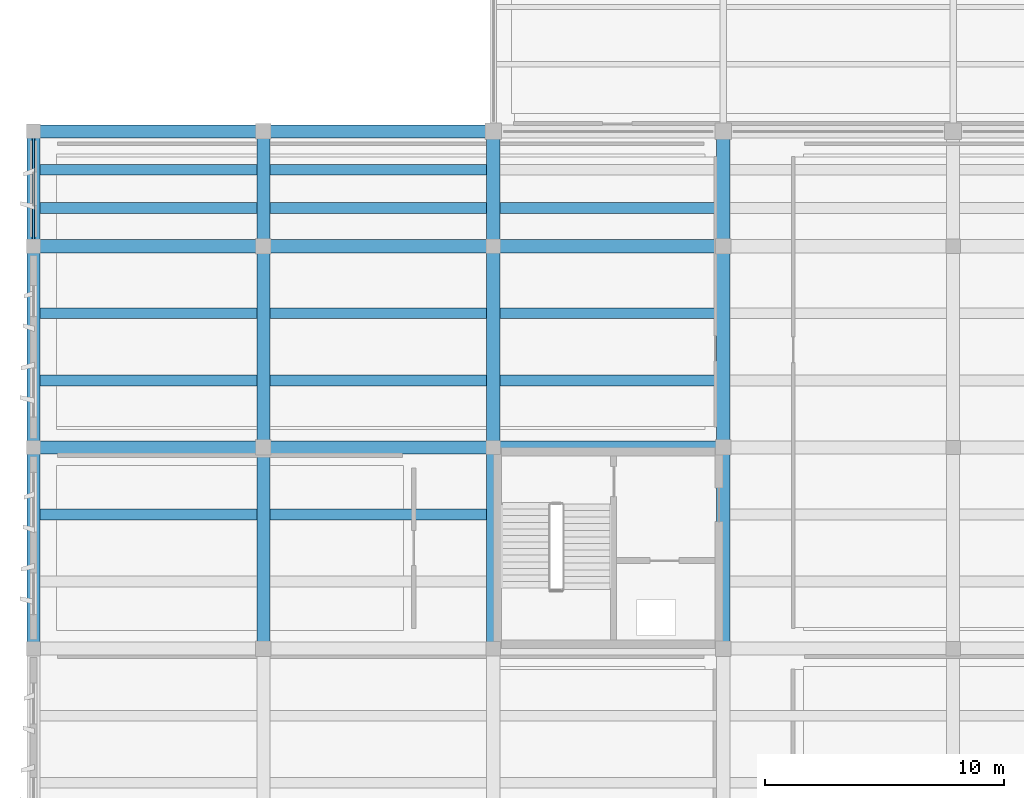
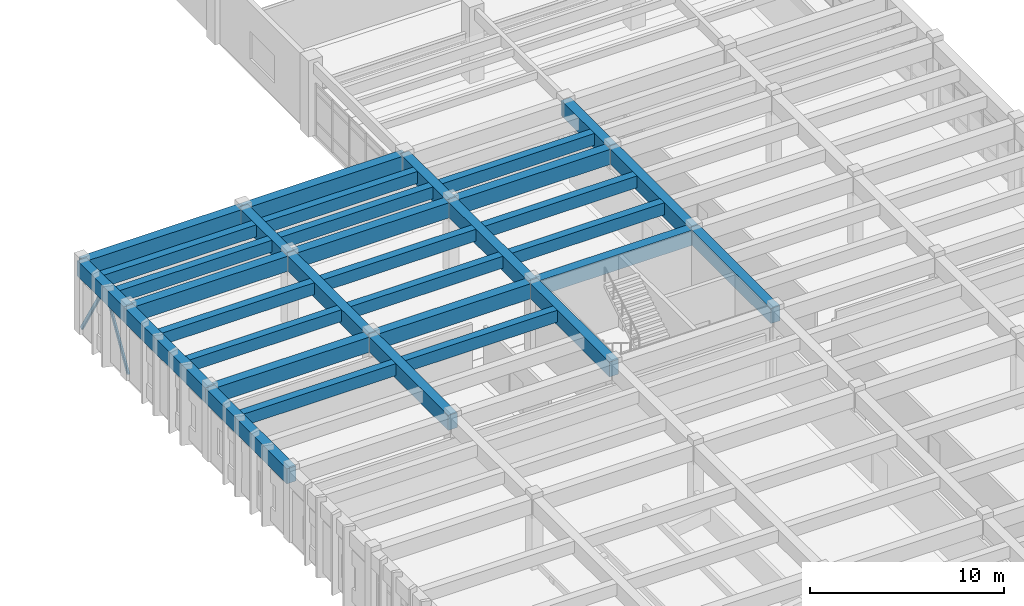
# One storey, part 18 of 86: 33 beams, 2 members.
"""IFC4 building model written with IfcOpenShell, lengths in metres."""

from ifc_helpers import new_model, si_unit, direction, frame, origin, origin_2d, place, context, subcontext, project, spatial, rectangle, hollow_rectangle, extrude, material, material_profile, profile_set, type_object, element, save


model = new_model("IFC4")

# Units and contexts
model_context = context("Model", 3, precision=1e-05, world=origin(), true_north=direction((0.0, 1.0)))
body_context = subcontext(model_context, "Body", "Model", "MODEL_VIEW")
ifc_project = project(units=[si_unit("LENGTHUNIT", "METRE"), si_unit("AREAUNIT", "SQUARE_METRE"), si_unit("VOLUMEUNIT", "CUBIC_METRE"), si_unit("PLANEANGLEUNIT", "RADIAN"), si_unit("MASSUNIT", "GRAM", prefix="KILO")], contexts=[model_context])

# Site, building, storey
site_placement = place(None, origin())
site = spatial("IfcSite", under=ifc_project, at=site_placement, CompositionType="ELEMENT")
building_placement = place(site_placement, origin())
building = spatial("IfcBuilding", under=site, at=building_placement, Name="Kolvemor Railside Polytechnic", CompositionType="ELEMENT")
storey_placement = place(building_placement, frame((0.0, 0.0, 5.39990234375)))
storey = spatial("IfcBuildingStorey", under=building, at=storey_placement, Name="L01", CompositionType="ELEMENT", Elevation=5.39990234375)

# Beams
ifc_material_1 = material(Name="Concrete C40/50", Category="concrete")
ifc_material_profile_1 = material_profile(ifc_material_1, rectangle(XDim=0.550048828125, YDim=0.949951171875, at=origin_2d()), Name="RC550x950")
ifc_profile_set_1 = profile_set([ifc_material_profile_1], Name="Concrete C40/50")
beam_type_1 = type_object("IfcBeamType", Name="BM-RC-GIRD", PredefinedType="BEAM", material=ifc_profile_set_1)
beam_1_placement = place(storey_placement, frame((0.0, 68.39990234375, 4.005126953125), z_axis=(1.0, 0.0, 0.0), x_axis=(0.0, 1.0, 0.0)))
element("IfcBeam", 1, at=beam_1_placement, inside=storey, type_object=beam_type_1, Name="Primary Girder L02-GX 0593", PredefinedType="BEAM", context=body_context, shape_type="SweptSolid", body=[
    extrude(rectangle(XDim=0.550048828125, YDim=0.949951171875, at=origin_2d()), origin(), (0.0, 0.0, 1.0), 9.60009765625),
])
beam_2_placement = place(storey_placement, frame((9.60009765625, 68.39990234375, 4.005126953125), z_axis=(1.0, 0.0, 0.0), x_axis=(0.0, 1.0, 0.0)))
element("IfcBeam", 2, at=beam_2_placement, inside=storey, type_object=beam_type_1, Name="Primary Girder L02-GX 0594", PredefinedType="BEAM", context=body_context, shape_type="SweptSolid", body=[
    extrude(rectangle(XDim=0.550048828125, YDim=0.949951171875, at=origin_2d()), origin(), (0.0, 0.0, 1.0), 9.599853515625),
])
for number, where, z_axis, x_axis, name in (
    (3, (19.199951171875, 68.39990234375, 4.005126953125), (1.0, 0.0, 0.0), (0.0, 1.0, 0.0), "Primary Girder L02-GX 0595"),
    (4, (0.0, 76.800048828125, 4.005126953125), (1.0, 0.0, 0.0), (0.0, 1.0, 0.0), "Primary Girder L02-GX 0598"),
):
    element("IfcBeam", number, at=place(storey_placement, frame(where, z_axis=z_axis, x_axis=x_axis)), inside=storey, type_object=beam_type_1, Name=name, PredefinedType="BEAM", context=body_context, shape_type="SweptSolid", body=[
        extrude(rectangle(XDim=0.550048828125, YDim=0.949951171875, at=origin_2d()), origin(), (0.0, 0.0, 1.0), 9.60009765625),
    ])
beam_3_placement = place(storey_placement, frame((9.60009765625, 76.800048828125, 4.005126953125), z_axis=(1.0, 0.0, 0.0), x_axis=(0.0, 1.0, 0.0)))
element("IfcBeam", 5, at=beam_3_placement, inside=storey, type_object=beam_type_1, Name="Primary Girder L02-GX 0599", PredefinedType="BEAM", context=body_context, shape_type="SweptSolid", body=[
    extrude(rectangle(XDim=0.550048828125, YDim=0.949951171875, at=origin_2d()), origin(), (0.0, 0.0, 1.0), 9.599853515625),
])
for number, where, z_axis, x_axis, name in (
    (6, (19.199951171875, 76.800048828125, 4.005126953125), (1.0, 0.0, 0.0), (0.0, 1.0, 0.0), "Primary Girder L02-GX 0600"),
    (7, (0.0, 81.60009765625, 4.005126953125), (1.0, 0.0, 0.0), (0.0, 1.0, 0.0), "Primary Girder L02-GX 0603"),
):
    element("IfcBeam", number, at=place(storey_placement, frame(where, z_axis=z_axis, x_axis=x_axis)), inside=storey, type_object=beam_type_1, Name=name, PredefinedType="BEAM", context=body_context, shape_type="SweptSolid", body=[
        extrude(rectangle(XDim=0.550048828125, YDim=0.949951171875, at=origin_2d()), origin(), (0.0, 0.0, 1.0), 9.60009765625),
    ])
beam_4_placement = place(storey_placement, frame((9.60009765625, 81.60009765625, 4.005126953125), z_axis=(1.0, 0.0, 0.0), x_axis=(0.0, 1.0, 0.0)))
element("IfcBeam", 8, at=beam_4_placement, inside=storey, type_object=beam_type_1, Name="Primary Girder L02-GX 0604", PredefinedType="BEAM", context=body_context, shape_type="SweptSolid", body=[
    extrude(rectangle(XDim=0.550048828125, YDim=0.949951171875, at=origin_2d()), origin(), (0.0, 0.0, 1.0), 9.599853515625),
])
beam_5_placement = place(storey_placement, frame((0.0, 60.0, 4.005126953125), z_axis=(0.0, 1.0, 0.0), x_axis=(-1.0, 0.0, 0.0)))
element("IfcBeam", 9, at=beam_5_placement, inside=storey, type_object=beam_type_1, Name="Primary Girder L02-GY 0614", PredefinedType="BEAM", context=body_context, shape_type="SweptSolid", body=[
    extrude(rectangle(XDim=0.550048828125, YDim=0.949951171875, at=origin_2d()), origin(), (0.0, 0.0, 1.0), 8.39990234375),
])
beam_6_placement = place(storey_placement, frame((0.0, 68.39990234375, 4.005126953125), z_axis=(0.0, 1.0, 0.0), x_axis=(-1.0, 0.0, 0.0)))
element("IfcBeam", 10, at=beam_6_placement, inside=storey, type_object=beam_type_1, Name="Primary Girder L02-GY 0615", PredefinedType="BEAM", context=body_context, shape_type="SweptSolid", body=[
    extrude(rectangle(XDim=0.550048828125, YDim=0.949951171875, at=origin_2d()), origin(), (0.0, 0.0, 1.0), 8.400146484375),
])
beam_7_placement = place(storey_placement, frame((0.0, 76.800048828125, 4.005126953125), z_axis=(0.0, 1.0, 0.0), x_axis=(-1.0, 0.0, 0.0)))
element("IfcBeam", 11, at=beam_7_placement, inside=storey, type_object=beam_type_1, Name="Primary Girder L02-GY 0616", PredefinedType="BEAM", context=body_context, shape_type="SweptSolid", body=[
    extrude(rectangle(XDim=0.550048828125, YDim=0.949951171875, at=origin_2d()), origin(), (0.0, 0.0, 1.0), 4.800048828125),
])
beam_8_placement = place(storey_placement, frame((9.60009765625, 60.0, 4.005126953125), z_axis=(0.0, 1.0, 0.0), x_axis=(-1.0, 0.0, 0.0)))
element("IfcBeam", 12, at=beam_8_placement, inside=storey, type_object=beam_type_1, Name="Primary Girder L02-GY 0623", PredefinedType="BEAM", context=body_context, shape_type="SweptSolid", body=[
    extrude(rectangle(XDim=0.550048828125, YDim=0.949951171875, at=origin_2d()), origin(), (0.0, 0.0, 1.0), 8.39990234375),
])
beam_9_placement = place(storey_placement, frame((9.60009765625, 68.39990234375, 4.005126953125), z_axis=(0.0, 1.0, 0.0), x_axis=(-1.0, 0.0, 0.0)))
element("IfcBeam", 13, at=beam_9_placement, inside=storey, type_object=beam_type_1, Name="Primary Girder L02-GY 0624", PredefinedType="BEAM", context=body_context, shape_type="SweptSolid", body=[
    extrude(rectangle(XDim=0.550048828125, YDim=0.949951171875, at=origin_2d()), origin(), (0.0, 0.0, 1.0), 8.400146484375),
])
beam_10_placement = place(storey_placement, frame((9.60009765625, 76.800048828125, 4.005126953125), z_axis=(0.0, 1.0, 0.0), x_axis=(-1.0, 0.0, 0.0)))
element("IfcBeam", 14, at=beam_10_placement, inside=storey, type_object=beam_type_1, Name="Primary Girder L02-GY 0625", PredefinedType="BEAM", context=body_context, shape_type="SweptSolid", body=[
    extrude(rectangle(XDim=0.550048828125, YDim=0.949951171875, at=origin_2d()), origin(), (0.0, 0.0, 1.0), 4.800048828125),
])
beam_11_placement = place(storey_placement, frame((19.199951171875, 60.0, 4.005126953125), z_axis=(0.0, 1.0, 0.0), x_axis=(-1.0, 0.0, 0.0)))
element("IfcBeam", 15, at=beam_11_placement, inside=storey, type_object=beam_type_1, Name="Primary Girder L02-GY 0632", PredefinedType="BEAM", context=body_context, shape_type="SweptSolid", body=[
    extrude(rectangle(XDim=0.550048828125, YDim=0.949951171875, at=origin_2d()), origin(), (0.0, 0.0, 1.0), 8.39990234375),
])
beam_12_placement = place(storey_placement, frame((19.199951171875, 68.39990234375, 4.005126953125), z_axis=(0.0, 1.0, 0.0), x_axis=(-1.0, 0.0, 0.0)))
element("IfcBeam", 16, at=beam_12_placement, inside=storey, type_object=beam_type_1, Name="Primary Girder L02-GY 0633", PredefinedType="BEAM", context=body_context, shape_type="SweptSolid", body=[
    extrude(rectangle(XDim=0.550048828125, YDim=0.949951171875, at=origin_2d()), origin(), (0.0, 0.0, 1.0), 8.400146484375),
])
beam_13_placement = place(storey_placement, frame((19.199951171875, 76.800048828125, 4.005126953125), z_axis=(0.0, 1.0, 0.0), x_axis=(-1.0, 0.0, 0.0)))
element("IfcBeam", 17, at=beam_13_placement, inside=storey, type_object=beam_type_1, Name="Primary Girder L02-GY 0634", PredefinedType="BEAM", context=body_context, shape_type="SweptSolid", body=[
    extrude(rectangle(XDim=0.550048828125, YDim=0.949951171875, at=origin_2d()), origin(), (0.0, 0.0, 1.0), 4.800048828125),
])
beam_14_placement = place(storey_placement, frame((28.800048828125, 60.0, 4.005126953125), z_axis=(0.0, 1.0, 0.0), x_axis=(-1.0, 0.0, 0.0)))
element("IfcBeam", 18, at=beam_14_placement, inside=storey, type_object=beam_type_1, Name="Primary Girder L02-GY 0641", PredefinedType="BEAM", context=body_context, shape_type="SweptSolid", body=[
    extrude(rectangle(XDim=0.550048828125, YDim=0.949951171875, at=origin_2d()), origin(), (0.0, 0.0, 1.0), 8.39990234375),
])
beam_15_placement = place(storey_placement, frame((28.800048828125, 68.39990234375, 4.005126953125), z_axis=(0.0, 1.0, 0.0), x_axis=(-1.0, 0.0, 0.0)))
element("IfcBeam", 19, at=beam_15_placement, inside=storey, type_object=beam_type_1, Name="Primary Girder L02-GY 0642", PredefinedType="BEAM", context=body_context, shape_type="SweptSolid", body=[
    extrude(rectangle(XDim=0.550048828125, YDim=0.949951171875, at=origin_2d()), origin(), (0.0, 0.0, 1.0), 8.400146484375),
])
beam_16_placement = place(storey_placement, frame((28.800048828125, 76.800048828125, 4.005126953125), z_axis=(0.0, 1.0, 0.0), x_axis=(-1.0, 0.0, 0.0)))
element("IfcBeam", 20, at=beam_16_placement, inside=storey, type_object=beam_type_1, Name="Primary Girder L02-GY 0643", PredefinedType="BEAM", context=body_context, shape_type="SweptSolid", body=[
    extrude(rectangle(XDim=0.550048828125, YDim=0.949951171875, at=origin_2d()), origin(), (0.0, 0.0, 1.0), 4.800048828125),
])
ifc_material_2 = material(Name="Concrete C40/50", Category="concrete")
ifc_material_profile_2 = material_profile(ifc_material_2, rectangle(XDim=0.449951171875, YDim=0.75, at=origin_2d()), Name="RC450x750")
ifc_profile_set_2 = profile_set([ifc_material_profile_2], Name="Concrete C40/50")
beam_type_2 = type_object("IfcBeamType", Name="BM-RC-SEC", PredefinedType="JOIST", material=ifc_profile_set_2)
for number, where, z_axis, x_axis, name in (
    (21, (0.27490234375, 65.60009765625, 4.10498046875), (1.0, 0.0, 0.0), (0.0, 1.0, 0.0), "Floor Joist L02-J0675"),
    (22, (0.27490234375, 71.199951171875, 4.10498046875), (1.0, 0.0, 0.0), (0.0, 1.0, 0.0), "Floor Joist L02-J0676"),
    (23, (0.27490234375, 74.0, 4.10498046875), (1.0, 0.0, 0.0), (0.0, 1.0, 0.0), "Floor Joist L02-J0677"),
    (24, (0.27490234375, 78.39990234375, 4.10498046875), (1.0, 0.0, 0.0), (0.0, 1.0, 0.0), "Floor Joist L02-J0678"),
    (25, (0.27490234375, 80.0, 4.10498046875), (1.0, 0.0, 0.0), (0.0, 1.0, 0.0), "Floor Joist L02-J0679"),
    (26, (9.875, 65.60009765625, 4.10498046875), (1.0, 0.0, 0.0), (0.0, 1.0, 0.0), "Floor Joist L02-J0693"),
    (27, (9.875, 71.199951171875, 4.10498046875), (1.0, 0.0, 0.0), (0.0, 1.0, 0.0), "Floor Joist L02-J0694"),
    (28, (9.875, 74.0, 4.10498046875), (1.0, 0.0, 0.0), (0.0, 1.0, 0.0), "Floor Joist L02-J0695"),
    (29, (9.875, 78.39990234375, 4.10498046875), (1.0, 0.0, 0.0), (0.0, 1.0, 0.0), "Floor Joist L02-J0696"),
    (30, (9.875, 80.0, 4.10498046875), (1.0, 0.0, 0.0), (0.0, 1.0, 0.0), "Floor Joist L02-J0697"),
):
    element("IfcBeam", number, at=place(storey_placement, frame(where, z_axis=z_axis, x_axis=x_axis)), inside=storey, type_object=beam_type_2, Name=name, PredefinedType="JOIST", context=body_context, shape_type="SweptSolid", body=[
        extrude(rectangle(XDim=0.449951171875, YDim=0.75, at=origin_2d()), origin(), (0.0, 0.0, 1.0), 9.050048828125),
    ])
for number, where, z_axis, x_axis, name in (
    (31, (19.47509765625, 71.199951171875, 4.10498046875), (1.0, 0.0, 0.0), (0.0, 1.0, 0.0), "Floor Joist L02-J0708"),
    (32, (19.47509765625, 74.0, 4.10498046875), (1.0, 0.0, 0.0), (0.0, 1.0, 0.0), "Floor Joist L02-J0709"),
    (33, (19.47509765625, 78.39990234375, 4.10498046875), (1.0, 0.0, 0.0), (0.0, 1.0, 0.0), "Floor Joist L02-J0710"),
):
    element("IfcBeam", number, at=place(storey_placement, frame(where, z_axis=z_axis, x_axis=x_axis)), inside=storey, type_object=beam_type_2, Name=name, PredefinedType="JOIST", context=body_context, shape_type="SweptSolid", body=[
        extrude(rectangle(XDim=0.449951171875, YDim=0.75, at=origin_2d()), origin(), (0.0, 0.0, 1.0), 9.0498046875),
    ])

# Members
ifc_material_3 = material(Name="Steel S355", Category="steel")
ifc_material_profile_3 = material_profile(ifc_material_3, hollow_rectangle(XDim=0.1201171875, YDim=0.199951171875, WallThickness=0.008056640625, InnerFilletRadius=0.008056640625, OuterFilletRadius=0.01611328125, at=origin_2d()), Name="HSS200x120x8")
ifc_profile_set_3 = profile_set([ifc_material_profile_3], Name="Steel S355")
member_type = type_object("IfcMemberType", Name="MEM-BR-HSS2", PredefinedType="BRACE", material=ifc_profile_set_3)
member_1_placement = place(storey_placement, frame((0.0, 76.800048828125, 0.150146484375), z_axis=(0.0, 0.511653138161, 0.859192100877), x_axis=(-1.0, 0.0, 0.0)))
element("IfcMember", 34, at=member_1_placement, inside=storey, type_object=member_type, Name="Wind Chevron Brace BR-06A", PredefinedType="BRACE", context=body_context, shape_type="SweptSolid", body=[
    extrude(hollow_rectangle(XDim=0.1201171875, YDim=0.199951171875, WallThickness=0.008056640625, InnerFilletRadius=0.008056640625, OuterFilletRadius=0.01611328125, at=origin_2d()), origin(), (0.0, 0.0, 1.0), 4.6904296875),
])
member_2_placement = place(storey_placement, frame((0.0, 81.60009765625, 0.150146484375), z_axis=(0.0, -0.511691560635, 0.85916921894), x_axis=(1.0, 0.0, 0.0)))
element("IfcMember", 35, at=member_2_placement, inside=storey, type_object=member_type, Name="Wind Chevron Brace BR-06B", PredefinedType="BRACE", context=body_context, shape_type="SweptSolid", body=[
    extrude(hollow_rectangle(XDim=0.1201171875, YDim=0.199951171875, WallThickness=0.008056640625, InnerFilletRadius=0.008056640625, OuterFilletRadius=0.01611328125, at=origin_2d()), origin(), (0.0, 0.0, 1.0), 4.690673828125),
])

save(model, "model.ifc")
